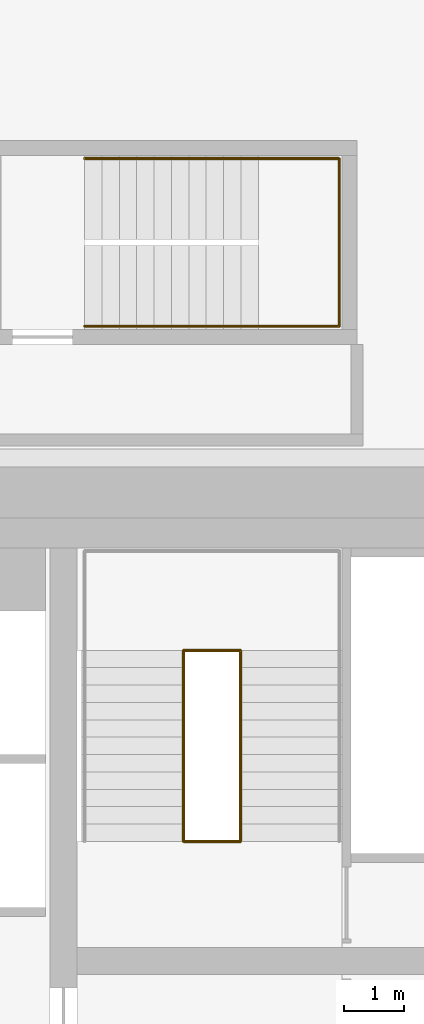
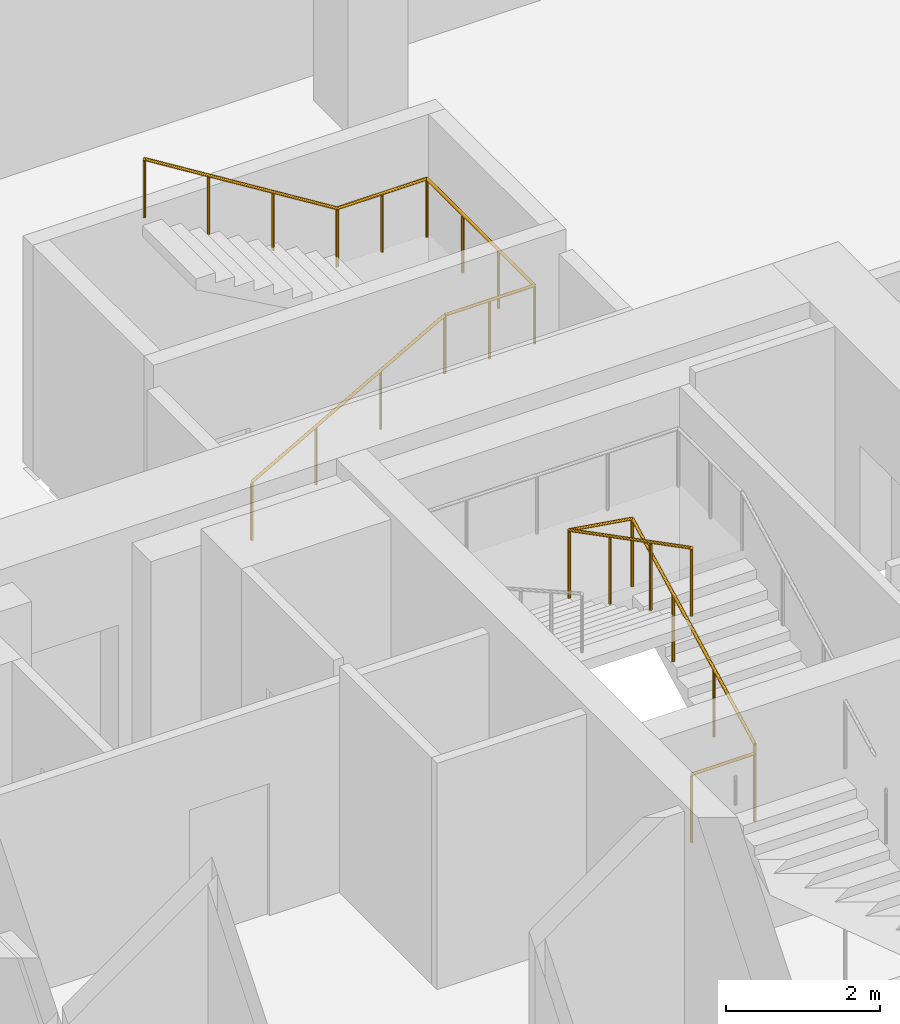
# One storey, part 21 of 21: 2 railings.
"""IFC4 building model written with IfcOpenShell, lengths in metres."""

import ifcopenshell
import ifcopenshell.guid

model = None  # the IFC model being written
_history = None  # IfcOwnerHistory: only IFC2X3 demands one
_inside = {}  # id of a spatial element -> (the spatial element, [elements in it])
_under = {}  # id of a project, library or spatial element -> (it, [spatial elements below it])
_declared = {}  # id of a project -> (the project, [libraries it declares])
_typed = {}  # id of a type object -> (the type object, [elements of that type])
_made_of = {}  # id of a material, layer set ... -> (it, [elements and type objects made of it])


def new_model(schema):
    """Start an empty IFC model of exactly this schema.

    Asked for "IFC4X3", IfcOpenShell would pick the latest addendum, in which some entities
    have other attributes; the version numbers below select the first issue.
    IFC2X3 requires an IfcOwnerHistory on every rooted entity: one is made here for all.
    """
    global model, _history
    if schema == "IFC4X3":
        model = ifcopenshell.file(schema_version=(4, 3, 0, 0))
    else:
        model = ifcopenshell.file(schema=schema)
    _inside.clear()
    _under.clear()
    _declared.clear()
    _typed.clear()
    _made_of.clear()
    _history = None
    if model.schema == "IFC2X3":
        org = make("IfcOrganization", Name="unknown")
        user = make(
            "IfcPersonAndOrganization",
            ThePerson=make("IfcPerson", FamilyName="unknown"),
            TheOrganization=org,
        )
        app = make(
            "IfcApplication",
            ApplicationDeveloper=org,
            Version="unknown",
            ApplicationFullName="unknown",
            ApplicationIdentifier="unknown",
        )
        _history = make(
            "IfcOwnerHistory",
            OwningUser=user,
            OwningApplication=app,
            ChangeAction="ADDED",
            CreationDate=0,
        )
    return model


def make(cls, **values):
    """One entity of the class cls with the attributes given. An attribute that is None is left unset."""
    return model.create_entity(
        cls, **{name: value for name, value in values.items() if value is not None}
    )


def rooted(cls, **values):
    """An entity with a GlobalId (a new one), such as an element, a storey or a relation."""
    return make(cls, GlobalId=ifcopenshell.guid.new(), OwnerHistory=_history, **values)


def si_unit(unit_type, name, prefix=None):
    """IfcSIUnit, for example si_unit("LENGTHUNIT", "METRE", prefix="MILLI")."""
    return make("IfcSIUnit", UnitType=unit_type, Prefix=prefix, Name=name)


def assignment(units):
    """IfcUnitAssignment: the units of a project."""
    return None if units is None else make("IfcUnitAssignment", Units=units)


def point(xyz):
    """IfcCartesianPoint."""
    return None if xyz is None else make("IfcCartesianPoint", Coordinates=xyz)


def direction(xyz):
    """IfcDirection."""
    return None if xyz is None else make("IfcDirection", DirectionRatios=xyz)


def frame(location, z_axis=None, x_axis=None):
    """IfcAxis2Placement3D, a coordinate frame: its origin and axes. An axis left out is left unset."""
    return make(
        "IfcAxis2Placement3D",
        Location=point(location),
        Axis=direction(z_axis),
        RefDirection=direction(x_axis),
    )


def frame_2d(location, x_axis=None):
    """IfcAxis2Placement2D, a coordinate frame in the plane: its origin and x axis."""
    return make(
        "IfcAxis2Placement2D", Location=point(location), RefDirection=direction(x_axis)
    )


def origin():
    """The frame at (0, 0, 0) with its axes left unset."""
    return frame((0.0, 0.0, 0.0))


def origin_2d():
    """The frame at (0, 0) in the plane with its x axis left unset."""
    return frame_2d((0.0, 0.0))


def place(relative_to, where):
    """IfcLocalPlacement: puts the frame where relative to a parent placement (None: the world)."""
    return make(
        "IfcLocalPlacement", PlacementRelTo=relative_to, RelativePlacement=where
    )


def context(
    kind, dimensions, precision=None, world=None, true_north=None, identifier=None
):
    """IfcGeometricRepresentationContext, for example the 3D "Model" context."""
    return make(
        "IfcGeometricRepresentationContext",
        ContextIdentifier=identifier,
        ContextType=kind,
        CoordinateSpaceDimension=dimensions,
        Precision=precision,
        WorldCoordinateSystem=world,
        TrueNorth=true_north,
    )


def subcontext(parent, identifier, kind, view, scale=None):
    """IfcGeometricRepresentationSubContext, for example "Body" below "Model"."""
    return make(
        "IfcGeometricRepresentationSubContext",
        ContextIdentifier=identifier,
        ContextType=kind,
        ParentContext=parent,
        TargetScale=scale,
        TargetView=view,
    )


def project(units=None, contexts=None):
    """IfcProject with its units and contexts."""
    return rooted(
        "IfcProject",
        Name="project",
        RepresentationContexts=contexts,
        UnitsInContext=assignment(units),
    )


def spatial(cls, under=None, at=None, **own):
    """A site, building, storey or space (cls), placed at a placement, below another one or the project."""
    s = rooted(cls, ObjectPlacement=at, **own)
    if under is not None:
        _under.setdefault(under.id(), (under, []))[1].append(s)
    return s


def profile(cls, at=None, kind="AREA", **sizes):
    """A parametric profile (cls). Its sizes go by their IFC names, for example OverallWidth=200.0."""
    return make(cls, ProfileType=kind, Position=at, **sizes)


def circle(**sizes):
    """IfcCircleProfileDef."""
    return profile("IfcCircleProfileDef", **sizes)


def extrude(swept, where, along, depth):
    """IfcExtrudedAreaSolid: the profile swept, set in the frame where, extruded along a direction by depth."""
    return make(
        "IfcExtrudedAreaSolid",
        SweptArea=swept,
        Position=where,
        ExtrudedDirection=direction(along),
        Depth=depth,
    )


def shape(context_of_items, identifier, shape_type, items):
    """IfcShapeRepresentation: the items that make up one representation, for example the "Body"."""
    return make(
        "IfcShapeRepresentation",
        ContextOfItems=context_of_items,
        RepresentationIdentifier=identifier,
        RepresentationType=shape_type,
        Items=items,
    )


def material(Name=None, Category=None):
    """IfcMaterial."""
    return make("IfcMaterial", Name=Name, Category=Category)


def made_of(thing, what):
    """Note that an element or type object is made of a material, layer set ...; save() writes the relation."""
    if what is not None:
        _made_of.setdefault(what.id(), (what, []))[1].append(thing)
    return thing


def type_object(cls, material=None, **own):
    """A type object (cls), such as IfcWallType, which elements share."""
    return made_of(rooted(cls, **own), material)


def element(
    cls,
    number,
    at=None,
    inside=None,
    cuts=None,
    type_object=None,
    material=None,
    context=None,
    identifier="Body",
    shape_type=None,
    held_by="IfcProductDefinitionShape",
    body=None,
    shapes=None,
    **own,
):
    """One element of the class cls, such as IfcWall. Its Tag is "e" and its number.

    at: its placement. inside: the storey or other place that contains it. cuts: it is an
    opening in that element (IfcRelVoidsElement). A single representation is given by context,
    identifier, shape_type and body (its items); several are given by shapes. held_by: the class
    of the entity that holds the representations. save() writes the other relations.
    """
    e = rooted(cls, Tag="e%d" % number, ObjectPlacement=at, **own)
    if body is not None:
        shapes = [shape(context, identifier, shape_type, body)]
    if shapes is not None:
        e.Representation = make(held_by, Representations=shapes)
    if inside is not None:
        _inside.setdefault(inside.id(), (inside, []))[1].append(e)
    if cuts is not None:
        rooted(
            "IfcRelVoidsElement", RelatingBuildingElement=cuts, RelatedOpeningElement=e
        )
    if type_object is not None:
        _typed.setdefault(type_object.id(), (type_object, []))[1].append(e)
    return made_of(e, material)


def aggregate(whole, parts):
    """IfcRelAggregates: a whole, such as a stair, and the parts it consists of."""
    return rooted("IfcRelAggregates", RelatingObject=whole, RelatedObjects=parts)


def save(model, path):
    """Write the relations noted so far, then the file.

    IfcRelAggregates (storeys below a building ...), IfcRelContainedInSpatialStructure (elements
    in a storey), IfcRelDefinesByType, IfcRelAssociatesMaterial and IfcRelDeclares: one each for
    every whole, place, type object, material and project.
    """
    for whole, parts in _under.values():
        aggregate(whole, parts)
    for where, things in _inside.values():
        rooted(
            "IfcRelContainedInSpatialStructure",
            RelatedElements=things,
            RelatingStructure=where,
        )
    for kind, things in _typed.values():
        rooted("IfcRelDefinesByType", RelatedObjects=things, RelatingType=kind)
    for what, things in _made_of.values():
        rooted("IfcRelAssociatesMaterial", RelatedObjects=things, RelatingMaterial=what)
    for by, libraries in _declared.values():
        rooted("IfcRelDeclares", RelatingContext=by, RelatedDefinitions=libraries)
    model.write(path)


model = new_model("IFC4")

# Units and contexts
model_context = context("Model", 3, precision=1e-05, world=origin(), true_north=direction((0.0, 1.0)))
body_context = subcontext(model_context, "Body", "Model", "MODEL_VIEW")
ifc_project = project(units=[si_unit("LENGTHUNIT", "METRE"), si_unit("AREAUNIT", "SQUARE_METRE"), si_unit("VOLUMEUNIT", "CUBIC_METRE"), si_unit("PLANEANGLEUNIT", "RADIAN"), si_unit("MASSUNIT", "GRAM", prefix="KILO")], contexts=[model_context])

# Site, building, storey
site_placement = place(None, origin())
site = spatial("IfcSite", under=ifc_project, at=site_placement, CompositionType="ELEMENT")
building_placement = place(site_placement, origin())
building = spatial("IfcBuilding", under=site, at=building_placement, Name="Marenta Gate Hotel Tower", CompositionType="ELEMENT")
storey_placement = place(building_placement, frame((0.0, 0.0, 133.699951171875)))
storey = spatial("IfcBuildingStorey", under=building, at=storey_placement, Name="L30", CompositionType="ELEMENT", Elevation=133.699951171875)

# Railings
ifc_material_1 = material(Name="Stainless steel", Category="steel")
railing_type_1 = type_object("IfcRailingType", Name="Core stair handrail 950", PredefinedType="HANDRAIL", material=ifc_material_1)
railing_1_placement = place(storey_placement, frame((4.550048828125, 19.0, 0.16357421875)))
element("IfcRailing", 1, at=railing_1_placement, inside=storey, type_object=railing_type_1, Name="HR-950 L30-RS-Z2-4-KR-1", PredefinedType="HANDRAIL", context=body_context, shape_type="SweptSolid", body=[
    extrude(circle(Radius=0.02392578125, at=origin_2d()), frame((0.0, 0.0, 0.92578125), z_axis=(0.870897200241, 0.0, 0.491465224214), x_axis=(0.0, 1.0, 0.0)), (0.0, 0.0, 1.0), 3.329833984375),
    extrude(circle(Radius=0.02392578125, at=origin_2d()), frame((2.89990234375, 0.0, 2.5625), z_axis=(1.0, 0.0, 0.0), x_axis=(0.0, 1.0, 0.0)), (0.0, 0.0, 1.0), 1.35009765625),
    extrude(circle(Radius=0.02392578125, at=origin_2d()), frame((4.25, 0.0, 2.5625), z_axis=(0.0, 1.0, 0.0), x_axis=(-1.0, 0.0, 0.0)), (0.0, 0.0, 1.0), 2.800048828125),
    extrude(circle(Radius=0.02392578125, at=origin_2d()), frame((4.25, 2.800048828125, 2.5625), z_axis=(-1.0, 0.0, 0.0), x_axis=(0.0, -1.0, 0.0)), (0.0, 0.0, 1.0), 1.35009765625),
    extrude(circle(Radius=0.02392578125, at=origin_2d()), frame((2.89990234375, 2.800048828125, 2.5625), z_axis=(-0.849625798611, 0.0, 0.527386008853), x_axis=(0.0, -1.0, 0.0)), (0.0, 0.0, 1.0), 3.4130859375),
    extrude(circle(Radius=0.02099609375, at=origin_2d()), origin(), (0.0, 0.0, 1.0), 0.90185546875),
    extrude(circle(Radius=0.02099609375, at=origin_2d()), frame((0.966552734375, 0.0, 0.54541015625)), (0.0, 0.0, 1.0), 0.90185546875),
    extrude(circle(Radius=0.02099609375, at=origin_2d()), frame((1.933349609375, 0.0, 1.091064453125)), (0.0, 0.0, 1.0), 0.90185546875),
    extrude(circle(Radius=0.02099609375, at=origin_2d()), frame((2.89990234375, 0.0, 1.636474609375)), (0.0, 0.0, 1.0), 0.90185546875),
    extrude(circle(Radius=0.02099609375, at=origin_2d()), frame((3.574951171875, 0.0, 1.636474609375)), (0.0, 0.0, 1.0), 0.90185546875),
    extrude(circle(Radius=0.02099609375, at=origin_2d()), frame((4.25, 0.0, 1.636474609375)), (0.0, 0.0, 1.0), 0.90185546875),
    extrude(circle(Radius=0.02099609375, at=origin_2d()), frame((4.25, 0.933349609375, 1.636474609375)), (0.0, 0.0, 1.0), 0.90185546875),
    extrude(circle(Radius=0.02099609375, at=origin_2d()), frame((4.25, 1.86669921875, 1.636474609375)), (0.0, 0.0, 1.0), 0.90185546875),
    extrude(circle(Radius=0.02099609375, at=origin_2d()), frame((4.25, 2.800048828125, 1.636474609375)), (0.0, 0.0, 1.0), 0.90185546875),
    extrude(circle(Radius=0.02099609375, at=origin_2d()), frame((3.574951171875, 2.800048828125, 1.636474609375)), (0.0, 0.0, 1.0), 0.90185546875),
    extrude(circle(Radius=0.02099609375, at=origin_2d()), frame((2.89990234375, 2.800048828125, 1.636474609375)), (0.0, 0.0, 1.0), 0.90185546875),
    extrude(circle(Radius=0.02099609375, at=origin_2d()), frame((1.933349609375, 2.800048828125, 2.236572265625)), (0.0, 0.0, 1.0), 0.90185546875),
    extrude(circle(Radius=0.02099609375, at=origin_2d()), frame((0.966552734375, 2.800048828125, 2.83642578125)), (0.0, 0.0, 1.0), 0.90185546875),
    extrude(circle(Radius=0.02099609375, at=origin_2d()), frame((0.0, 2.800048828125, 3.4365234375)), (0.0, 0.0, 1.0), 0.90185546875),
])
ifc_material_2 = material(Name="Stainless steel", Category="steel")
railing_type_2 = type_object("IfcRailingType", Name="Core stair well guard 1100", PredefinedType="GUARDRAIL", material=ifc_material_2)
railing_2_placement = place(storey_placement, frame((6.199951171875, 10.39990234375, 0.0)))
element("IfcRailing", 2, at=railing_2_placement, inside=storey, type_object=railing_type_2, Name="GR-1100 L30-KR-ST4-2", PredefinedType="GUARDRAIL", context=body_context, shape_type="SweptSolid", body=[
    extrude(circle(Radius=0.02392578125, at=origin_2d()), frame((0.0, 0.0, 1.076171875), z_axis=(1.0, 0.0, 0.0), x_axis=(0.0, 1.0, 0.0)), (0.0, 0.0, 1.0), 0.949951171875),
    extrude(circle(Radius=0.02392578125, at=origin_2d()), frame((0.949951171875, 0.0, 1.076171875), z_axis=(0.0, 0.0, 1.0), x_axis=(1.0, 0.0, 0.0)), (0.0, 0.0, 1.0), 0.150146484375),
    extrude(circle(Radius=0.02392578125, at=origin_2d()), frame((0.949951171875, 0.0, 1.22607421875), z_axis=(0.0, 0.888239641807, 0.459380385653), x_axis=(-1.0, 0.0, 0.0)), (0.0, 0.0, 1.0), 3.591552734375),
    extrude(circle(Radius=0.02392578125, at=origin_2d()), frame((0.949951171875, 3.190185546875, 2.8759765625), z_axis=(-0.987777369502, 0.0, 0.15587131968), x_axis=(0.0, -1.0, 0.0)), (0.0, 0.0, 1.0), 0.961669921875),
    extrude(circle(Radius=0.02392578125, at=origin_2d()), frame((0.0, 3.190185546875, 3.02587890625), z_axis=(0.0, -0.888211904222, 0.459434013977), x_axis=(1.0, 0.0, 0.0)), (0.0, 0.0, 1.0), 3.591796875),
    extrude(circle(Radius=0.02099609375, at=origin_2d()), origin(), (0.0, 0.0, 1.0), 1.052001953125),
    extrude(circle(Radius=0.02099609375, at=origin_2d()), frame((0.949951171875, 0.0, 0.0)), (0.0, 0.0, 1.0), 1.052001953125),
    extrude(circle(Radius=0.02099609375, at=origin_2d()), frame((0.949951171875, 0.0, 0.150146484375)), (0.0, 0.0, 1.0), 1.052001953125),
    extrude(circle(Radius=0.02099609375, at=origin_2d()), frame((0.949951171875, 1.0634765625, 0.7001953125)), (0.0, 0.0, 1.0), 1.052001953125),
    extrude(circle(Radius=0.02099609375, at=origin_2d()), frame((0.949951171875, 2.126708984375, 1.25)), (0.0, 0.0, 1.0), 1.052001953125),
    extrude(circle(Radius=0.02099609375, at=origin_2d()), frame((0.949951171875, 3.190185546875, 1.800048828125)), (0.0, 0.0, 1.0), 1.052001953125),
    extrude(circle(Radius=0.02099609375, at=origin_2d()), frame((0.0, 3.190185546875, 1.949951171875)), (0.0, 0.0, 1.0), 1.052001953125),
    extrude(circle(Radius=0.02099609375, at=origin_2d()), frame((0.0, 2.126708984375, 2.5)), (0.0, 0.0, 1.0), 1.052001953125),
    extrude(circle(Radius=0.02099609375, at=origin_2d()), frame((0.0, 1.0634765625, 3.050048828125)), (0.0, 0.0, 1.0), 1.052001953125),
    extrude(circle(Radius=0.02099609375, at=origin_2d()), frame((0.0, 0.0, 3.60009765625)), (0.0, 0.0, 1.0), 1.052001953125),
])

save(model, "model.ifc")
